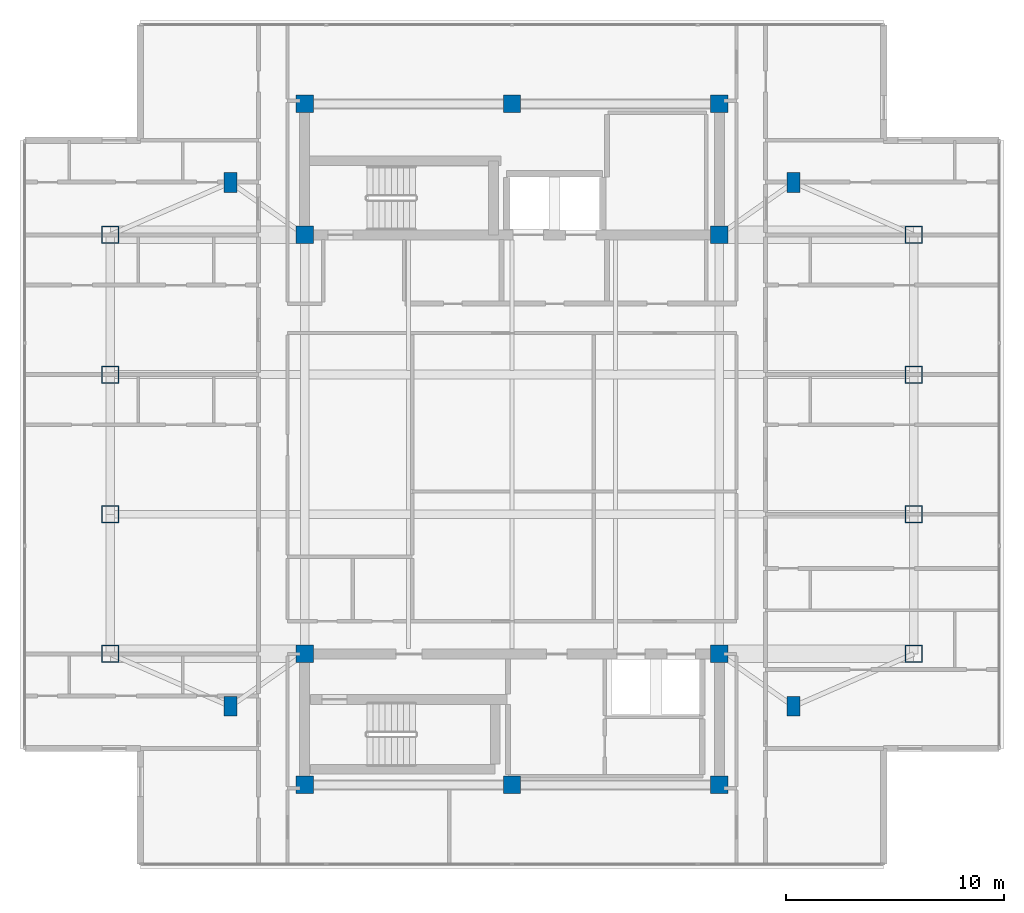
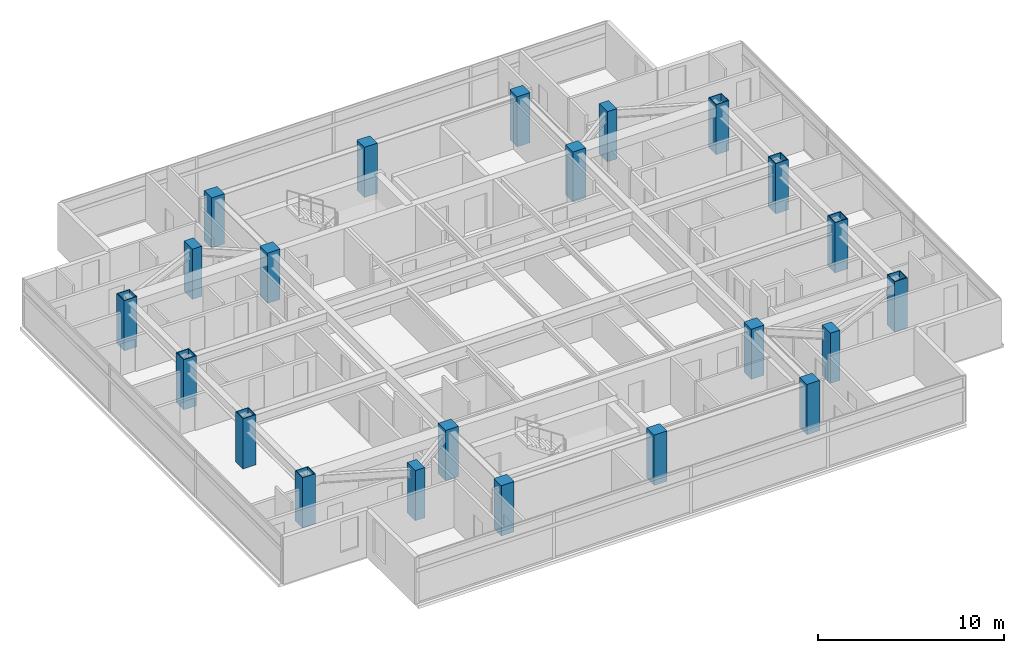
# One storey, part 1 of 14: 22 columns.
"""IFC4 building model written with IfcOpenShell, lengths in metres."""

from ifc_helpers import new_model, si_unit, direction, frame, origin, origin_2d, place, context, subcontext, project, spatial, rectangle, hollow_rectangle, extrude, material, material_profile, profile_set, type_object, element, save


model = new_model("IFC4")

# Units and contexts
model_context = context("Model", 3, precision=1e-05, world=origin(), true_north=direction((0.0, 1.0)))
body_context = subcontext(model_context, "Body", "Model", "MODEL_VIEW")
ifc_project = project(units=[si_unit("LENGTHUNIT", "METRE"), si_unit("AREAUNIT", "SQUARE_METRE"), si_unit("VOLUMEUNIT", "CUBIC_METRE"), si_unit("PLANEANGLEUNIT", "RADIAN"), si_unit("MASSUNIT", "GRAM", prefix="KILO")], contexts=[model_context])

# Site, building, storey
site_placement = place(None, origin())
site = spatial("IfcSite", under=ifc_project, at=site_placement, CompositionType="ELEMENT")
building_placement = place(site_placement, origin())
building = spatial("IfcBuilding", under=site, at=building_placement, Name="Mirazonda Arch Towers", CompositionType="ELEMENT")
storey_placement = place(building_placement, frame((0.0, 0.0, 245.800048828125)))
storey = spatial("IfcBuildingStorey", under=building, at=storey_placement, Name="L70", CompositionType="ELEMENT", Elevation=245.800048828125)

# Columns
ifc_material_1 = material(Name="Concrete C50/60", Category="concrete")
ifc_material_profile_1 = material_profile(ifc_material_1, rectangle(XDim=0.800048828125, YDim=0.800048828125, at=origin_2d()), Name="RC800x800")
ifc_profile_set_1 = profile_set([ifc_material_profile_1], Name="Concrete C50/60")
column_type_1 = type_object("IfcColumnType", Name="COL-INT-RC800x800", PredefinedType="COLUMN", material=ifc_profile_set_1)
for number, where, z_axis, x_axis, name in (
    (1, (11.0, 12.39990234375, 0.0), (0.0, 0.0, 1.0), (1.0, 0.0, 0.0), "L70 T1 Core Column 01"),
    (2, (20.5, 12.39990234375, 0.0), (0.0, 0.0, 1.0), (1.0, 0.0, 0.0), "L70 T1 Core Column 02"),
    (3, (30.0, 12.39990234375, 0.0), (0.0, 0.0, 1.0), (1.0, 0.0, 0.0), "L70 T1 Core Column 03"),
    (4, (11.0, 18.39990234375, 0.0), (0.0, 0.0, 1.0), (1.0, 0.0, 0.0), "L70 T1 Core Column 04"),
    (5, (30.0, 18.39990234375, 0.0), (0.0, 0.0, 1.0), (1.0, 0.0, 0.0), "L70 T1 Core Column 05"),
    (6, (11.0, 37.60009765625, 0.0), (0.0, 0.0, 1.0), (1.0, 0.0, 0.0), "L70 T1 Core Column 06"),
    (7, (30.0, 37.60009765625, 0.0), (0.0, 0.0, 1.0), (1.0, 0.0, 0.0), "L70 T1 Core Column 07"),
    (8, (11.0, 43.60009765625, 0.0), (0.0, 0.0, 1.0), (1.0, 0.0, 0.0), "L70 T1 Core Column 08"),
    (9, (20.5, 43.60009765625, 0.0), (0.0, 0.0, 1.0), (1.0, 0.0, 0.0), "L70 T1 Core Column 09"),
    (10, (30.0, 43.60009765625, 0.0), (0.0, 0.0, 1.0), (1.0, 0.0, 0.0), "L70 T1 Core Column 10"),
):
    element("IfcColumn", number, at=place(storey_placement, frame(where, z_axis=z_axis, x_axis=x_axis)), inside=storey, type_object=column_type_1, Name=name, PredefinedType="COLUMN", context=body_context, shape_type="SweptSolid", body=[
        extrude(rectangle(XDim=0.800048828125, YDim=0.800048828125, at=origin_2d()), origin(), (0.0, 0.0, 1.0), 3.300048828125),
    ])
ifc_material_2 = material(Name="Steel ASTM A572 Grade 50", Category="steel")
ifc_material_profile_2 = material_profile(ifc_material_2, hollow_rectangle(XDim=0.800048828125, YDim=0.800048828125, WallThickness=0.044921875, at=origin_2d()), Name="BOX800x800x45")
ifc_profile_set_2 = profile_set([ifc_material_profile_2], Name="Steel ASTM A572 Grade 50")
column_type_2 = type_object("IfcColumnType", Name="MCOL-EXT-BOX800x800x45", PredefinedType="COLUMN", material=ifc_profile_set_2)
for number, where, z_axis, x_axis, name in (
    (11, (2.10009765625, 18.39990234375, 0.0), (0.0, 0.0, 1.0), (1.0, 0.0, 0.0), "L70 T1 Composite Mega-Column 01"),
    (12, (2.10009765625, 24.800048828125, 0.0), (0.0, 0.0, 1.0), (1.0, 0.0, 0.0), "L70 T1 Composite Mega-Column 02"),
    (13, (2.10009765625, 31.199951171875, 0.0), (0.0, 0.0, 1.0), (1.0, 0.0, 0.0), "L70 T1 Composite Mega-Column 03"),
    (14, (2.10009765625, 37.60009765625, 0.0), (0.0, 0.0, 1.0), (1.0, 0.0, 0.0), "L70 T1 Composite Mega-Column 04"),
    (15, (38.89990234375, 18.39990234375, 0.0), (0.0, 0.0, 1.0), (1.0, 0.0, 0.0), "L70 T1 Composite Mega-Column 05"),
    (16, (38.89990234375, 24.800048828125, 0.0), (0.0, 0.0, 1.0), (1.0, 0.0, 0.0), "L70 T1 Composite Mega-Column 06"),
    (17, (38.89990234375, 31.199951171875, 0.0), (0.0, 0.0, 1.0), (1.0, 0.0, 0.0), "L70 T1 Composite Mega-Column 07"),
    (18, (38.89990234375, 37.60009765625, 0.0), (0.0, 0.0, 1.0), (1.0, 0.0, 0.0), "L70 T1 Composite Mega-Column 08"),
):
    element("IfcColumn", number, at=place(storey_placement, frame(where, z_axis=z_axis, x_axis=x_axis)), inside=storey, type_object=column_type_2, Name=name, PredefinedType="COLUMN", context=body_context, shape_type="SweptSolid", body=[
        extrude(hollow_rectangle(XDim=0.800048828125, YDim=0.800048828125, WallThickness=0.044921875, at=origin_2d()), origin(), (0.0, 0.0, 1.0), 3.300048828125),
    ])
ifc_material_profile_3 = material_profile(ifc_material_1, rectangle(XDim=0.60009765625, YDim=0.89990234375, at=origin_2d()), Name="RC900x600")
ifc_profile_set_3 = profile_set([ifc_material_profile_3], Name="Concrete C50/60")
column_type_3 = type_object("IfcColumnType", Name="PIL-EXT-RC900x600", PredefinedType="PILASTER", material=ifc_profile_set_3)
for number, where, z_axis, x_axis, name in (
    (19, (7.60009765625, 16.0, 0.0), (0.0, 0.0, 1.0), (1.0, 0.0, 0.0), "L70 T1 Corner Pilaster 01"),
    (20, (33.39990234375, 16.0, 0.0), (0.0, 0.0, 1.0), (1.0, 0.0, 0.0), "L70 T1 Corner Pilaster 02"),
    (21, (7.60009765625, 40.0, 0.0), (0.0, 0.0, 1.0), (1.0, 0.0, 0.0), "L70 T1 Corner Pilaster 03"),
    (22, (33.39990234375, 40.0, 0.0), (0.0, 0.0, 1.0), (1.0, 0.0, 0.0), "L70 T1 Corner Pilaster 04"),
):
    element("IfcColumn", number, at=place(storey_placement, frame(where, z_axis=z_axis, x_axis=x_axis)), inside=storey, type_object=column_type_3, Name=name, PredefinedType="PILASTER", context=body_context, shape_type="SweptSolid", body=[
        extrude(rectangle(XDim=0.60009765625, YDim=0.89990234375, at=origin_2d()), origin(), (0.0, 0.0, 1.0), 3.300048828125),
    ])

save(model, "model.ifc")
